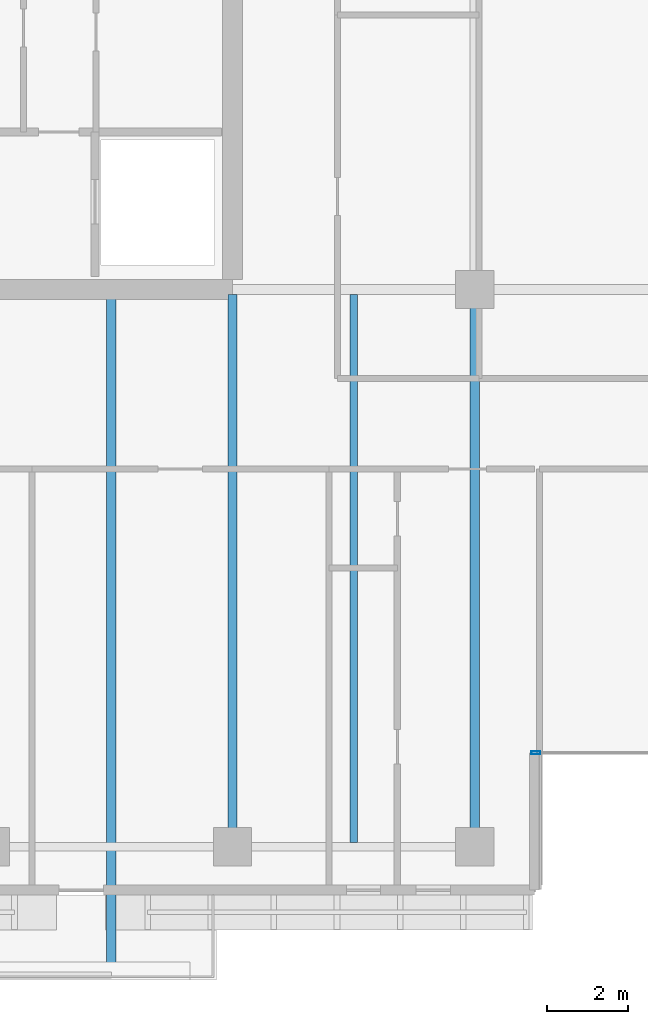
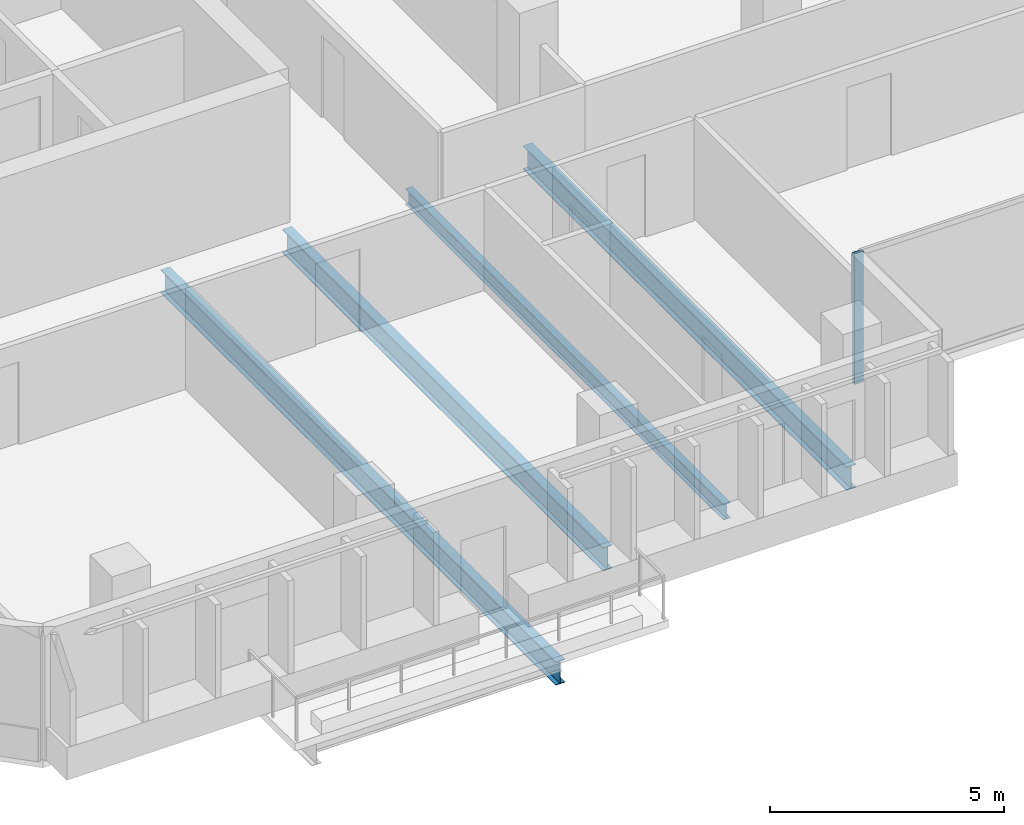
# One storey, part 2 of 22: 4 beams, 1 member, 1 element without a shape of its own.
"""IFC4 building model written with IfcOpenShell, lengths in metres."""

from ifc_helpers import new_model, si_unit, direction, frame, origin, origin_2d, place, context, subcontext, project, spatial, hollow_rectangle, i_section, extrude, material, layer, layer_set, material_profile, profile_set, type_object, element, aggregate, save


model = new_model("IFC4")

# Units and contexts
model_context = context("Model", 3, precision=1e-05, world=origin(), true_north=direction((0.0, 1.0)))
body_context = subcontext(model_context, "Body", "Model", "MODEL_VIEW")
ifc_project = project(units=[si_unit("LENGTHUNIT", "METRE"), si_unit("AREAUNIT", "SQUARE_METRE"), si_unit("VOLUMEUNIT", "CUBIC_METRE"), si_unit("PLANEANGLEUNIT", "RADIAN"), si_unit("MASSUNIT", "GRAM", prefix="KILO")], contexts=[model_context])

# Site, building, storey
site_placement = place(None, origin())
site = spatial("IfcSite", under=ifc_project, at=site_placement, CompositionType="ELEMENT")
building_placement = place(site_placement, origin())
building = spatial("IfcBuilding", under=site, at=building_placement, Name="Tanjung Sevakor Pilgrim Tower", CompositionType="ELEMENT")
storey_placement = place(building_placement, frame((0.0, 0.0, 115.830078125)))
storey = spatial("IfcBuildingStorey", under=building, at=storey_placement, Name="L32", CompositionType="ELEMENT", Elevation=115.830078125)

# Beams
ifc_material_1 = material(Name="Steel S355J2", Category="steel")
ifc_material_profile_1 = material_profile(ifc_material_1, i_section(OverallWidth=0.230224609375, OverallDepth=0.6171875, WebThickness=0.01318359375, FlangeThickness=0.022216796875, FilletRadius=0.0126953125, at=origin_2d()))
ifc_profile_set_1 = profile_set([ifc_material_profile_1], Name="Steel S355J2")
beam_type_1 = type_object("IfcBeamType", Name="BM-B-G3-UB_610x229x140", PredefinedType="BEAM", material=ifc_profile_set_1)
beam_1_placement = place(storey_placement, frame((36.0, 10.800048828125, -0.528564453125), z_axis=(0.0, 1.0, 0.0), x_axis=(-1.0, 0.0, 0.0)))
element("IfcBeam", 1, at=beam_1_placement, inside=storey, type_object=beam_type_1, Name="L32 MAIN Girder 005", PredefinedType="BEAM", context=body_context, shape_type="SweptSolid", body=[
    extrude(i_section(OverallWidth=0.230224609375, OverallDepth=0.6171875, WebThickness=0.01318359375, FlangeThickness=0.022216796875, FilletRadius=0.0126953125, at=origin_2d()), origin(), (0.0, 0.0, 1.0), 13.672607421875),
])
beam_2_placement = place(storey_placement, frame((42.0, 10.800048828125, -0.528564453125), z_axis=(0.0, 1.0, 0.0), x_axis=(-1.0, 0.0, 0.0)))
element("IfcBeam", 2, at=beam_2_placement, inside=storey, type_object=beam_type_1, Name="L32 MAIN Girder 009", PredefinedType="BEAM", context=body_context, shape_type="SweptSolid", body=[
    extrude(i_section(OverallWidth=0.230224609375, OverallDepth=0.6171875, WebThickness=0.01318359375, FlangeThickness=0.022216796875, FilletRadius=0.0126953125, at=origin_2d()), origin(), (0.0, 0.0, 1.0), 13.800048828125),
])
ifc_material_2 = material(Name="Steel S355J2", Category="steel")
ifc_material_profile_2 = material_profile(ifc_material_2, i_section(OverallWidth=0.22900390625, OverallDepth=0.6123046875, WebThickness=0.011962890625, FlangeThickness=0.01953125, FilletRadius=0.0126953125, at=origin_2d()))
ifc_profile_set_2 = profile_set([ifc_material_profile_2], Name="Steel S355J2")
beam_type_2 = type_object("IfcBeamType", Name="BM-B-G4-UB_610x229x125", PredefinedType="BEAM", material=ifc_profile_set_2)
beam_3_placement = place(storey_placement, frame((33.0, 24.47265625, -0.526123046875), z_axis=(0.0, -1.0, 0.0), x_axis=(1.0, 0.0, 0.0)))
element("IfcBeam", 3, at=beam_3_placement, inside=storey, type_object=beam_type_2, Name="L32 Balcony Cantilever Beam MAIN-S1-2", PredefinedType="BEAM", context=body_context, shape_type="SweptSolid", body=[
    extrude(i_section(OverallWidth=0.22900390625, OverallDepth=0.6123046875, WebThickness=0.011962890625, FlangeThickness=0.01953125, FilletRadius=0.0126953125, at=origin_2d()), origin(), (0.0, 0.0, 1.0), 16.8525390625),
])
ifc_material_3 = material(Name="Steel S355J2", Category="steel")
ifc_material_profile_3 = material_profile(ifc_material_3, i_section(OverallWidth=0.1787109375, OverallDepth=0.409423828125, WebThickness=0.0087890625, FlangeThickness=0.014404296875, FilletRadius=0.01025390625, at=origin_2d()))
ifc_profile_set_3 = profile_set([ifc_material_profile_3], Name="Steel S355J2")
beam_type_3 = type_object("IfcBeamType", Name="BM-B-J3-UB_406x178x67", PredefinedType="JOIST", material=ifc_profile_set_3)
beam_4_placement = place(storey_placement, frame((39.0, 10.89990234375, -0.4248046875), z_axis=(0.0, 1.0, 0.0), x_axis=(-1.0, 0.0, 0.0)))
element("IfcBeam", 4, at=beam_4_placement, inside=storey, type_object=beam_type_3, Name="L32 MAIN Joist 007", PredefinedType="JOIST", context=body_context, shape_type="SweptSolid", body=[
    extrude(i_section(OverallWidth=0.1787109375, OverallDepth=0.409423828125, WebThickness=0.0087890625, FlangeThickness=0.014404296875, FilletRadius=0.01025390625, at=origin_2d()), origin(), (0.0, 0.0, 1.0), 13.57275390625),
])

# Curtain wall, member
ifc_material_4 = material(Name="Aluminium 6063-T6 and Low-E Glass", Category="aluminium")
ifc_layer = layer(ifc_material_4, 0.179931640625)
ifc_layer_set = layer_set([ifc_layer], Name="CW-SYS-CLEFT")
curtain_wall_type = type_object("IfcCurtainWallType", Name="CW-SYS-CLEFT", PredefinedType="NOTDEFINED", material=ifc_layer_set)
curtain_wall_placement = place(storey_placement, origin())
curtain_wall = element("IfcCurtainWall", 5, at=curtain_wall_placement, inside=storey, type_object=curtain_wall_type, Name="L32 Curtain Wall CW-CLF-L32-2", PredefinedType="NOTDEFINED")
ifc_material_5 = material(Name="Aluminium 6063-T6", Category="aluminium")
ifc_material_profile_4 = material_profile(ifc_material_5, hollow_rectangle(XDim=0.074951171875, YDim=0.219970703125, WallThickness=0.0048828125, at=origin_2d()))
ifc_profile_set_4 = profile_set([ifc_material_profile_4], Name="Aluminium 6063-T6")
member_type = type_object("IfcMemberType", Name="TYPE-CWM-2", PredefinedType="MULLION", material=ifc_profile_set_4)
member_placement = place(storey_placement, frame((43.512451171875, 13.125, 0.0), z_axis=(0.0, 0.0, 1.0), x_axis=(0.0, 1.0, 0.0)))
member = element("IfcMember", 6, at=member_placement, type_object=member_type, Name="CW-CLF mullion 1", PredefinedType="MULLION", context=body_context, shape_type="SweptSolid", body=[
    extrude(hollow_rectangle(XDim=0.074951171875, YDim=0.219970703125, WallThickness=0.0048828125, at=origin_2d()), origin(), (0.0, 0.0, 1.0), 3.409912109375),
])
aggregate(curtain_wall, [member])

save(model, "model.ifc")
